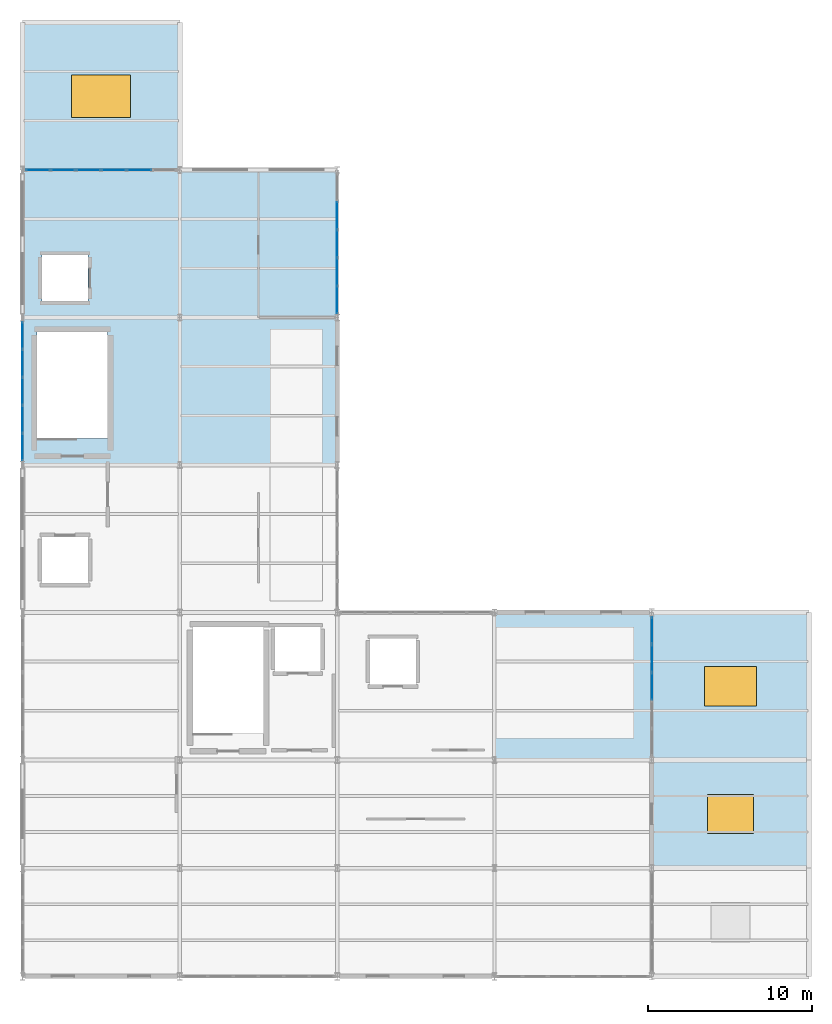
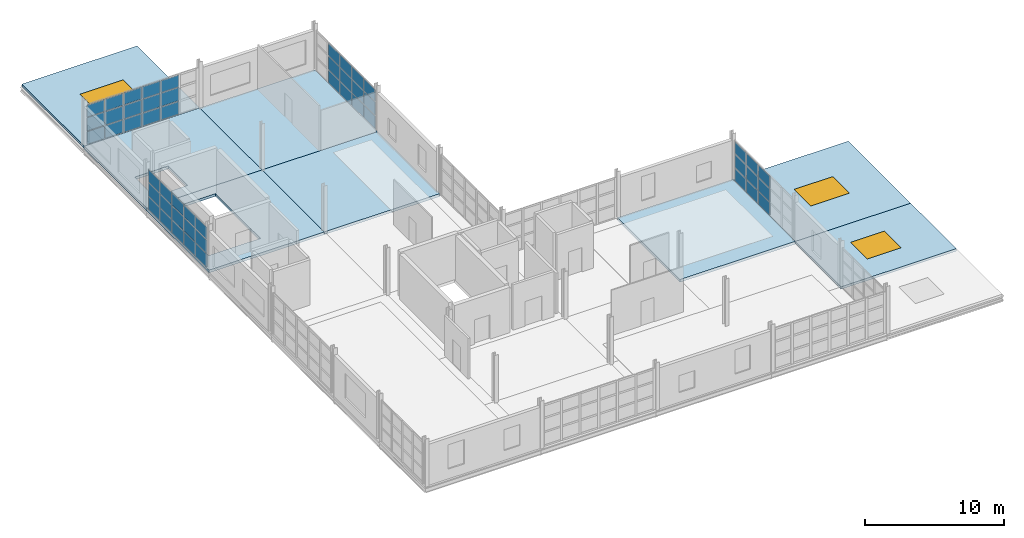
# One storey, part 12 of 15: 51 plates, 8 slabs, 3 windows, 3 openings, 4 elements without a shape of their own.
"""IFC4 building model written with IfcOpenShell, lengths in metres."""

from ifc_helpers import new_model, si_unit, direction, frame, origin, origin_2d, place, context, subcontext, project, spatial, polyline, rectangle, outline, extrude, material, layer, layer_set, type_object, element, fill, aggregate, save


model = new_model("IFC4")

# Units and contexts
model_context = context("Model", 3, precision=1e-05, world=origin(), true_north=direction((0.0, 1.0)))
body_context = subcontext(model_context, "Body", "Model", "MODEL_VIEW")
ifc_project = project(units=[si_unit("LENGTHUNIT", "METRE"), si_unit("AREAUNIT", "SQUARE_METRE"), si_unit("VOLUMEUNIT", "CUBIC_METRE"), si_unit("PLANEANGLEUNIT", "RADIAN"), si_unit("MASSUNIT", "GRAM", prefix="KILO")], contexts=[model_context])

# Site, building, storey
site_placement = place(None, origin())
site = spatial("IfcSite", under=ifc_project, at=site_placement, CompositionType="ELEMENT")
building_placement = place(site_placement, origin())
building = spatial("IfcBuilding", under=site, at=building_placement, Name="Zarnetskaya Central Station", CompositionType="ELEMENT")
storey_placement = place(building_placement, frame((0.0, 0.0, 22.800048828125)))
storey = spatial("IfcBuildingStorey", under=building, at=storey_placement, Name="L05", CompositionType="ELEMENT", Elevation=22.800048828125)

# Curtain wall, plates
ifc_material_1 = material(Name="Low-E insulated glass", Category="glass")
ifc_layer_1 = layer(ifc_material_1, 0.159912109375, Name="Low-E insulated glass", Category="glass")
ifc_layer_set_1 = layer_set([ifc_layer_1], Name="Low-E insulated glass")
curtain_wall_type_1 = type_object("IfcCurtainWallType", Name="CW-SYS-11", PredefinedType="USERDEFINED", material=ifc_layer_set_1)
curtain_wall_1_placement = place(storey_placement, origin())
curtain_wall_1 = element("IfcCurtainWall", 1, at=curtain_wall_1_placement, inside=storey, type_object=curtain_wall_type_1, Name="Curtain wall CW-L05-065", ObjectType="CURTAIN WALL", PredefinedType="USERDEFINED")
ifc_layer_2 = layer(ifc_material_1, 0.028076171875, Name="Low-E insulated glass", Category="glass")
ifc_layer_set_2 = layer_set([ifc_layer_2], Name="Low-E insulated glass")
plate_type_1 = type_object("IfcPlateType", Name="CW-PAN-28", PredefinedType="CURTAIN_PANEL", material=ifc_layer_set_2)
plate_1_placement = place(storey_placement, frame((0.0, 32.297607421875, 0.06982421875), z_axis=(0.0, 0.0, 1.0), x_axis=(0.0, 1.0, 0.0)))
plate_1 = element("IfcPlate", 2, at=plate_1_placement, type_object=plate_type_1, Name="CW-09 panel 1.1", PredefinedType="CURTAIN_PANEL", context=body_context, shape_type="SweptSolid", body=[
    extrude(rectangle(XDim=1.60498046875, YDim=0.028076171875, at=origin_2d()), origin(), (0.0, 0.0, 1.0), 1.133056640625),
])
plate_2_placement = place(storey_placement, frame((0.0, 32.297607421875, 1.27294921875), z_axis=(0.0, 0.0, 1.0), x_axis=(0.0, 1.0, 0.0)))
plate_2 = element("IfcPlate", 3, at=plate_2_placement, type_object=plate_type_1, Name="CW-09 panel 1.2", PredefinedType="CURTAIN_PANEL", context=body_context, shape_type="SweptSolid", body=[
    extrude(rectangle(XDim=1.60498046875, YDim=0.028076171875, at=origin_2d()), origin(), (0.0, 0.0, 1.0), 1.1669921875),
])
plate_3_placement = place(storey_placement, frame((0.0, 32.297607421875, 2.510009765625), z_axis=(0.0, 0.0, 1.0), x_axis=(0.0, 1.0, 0.0)))
plate_3 = element("IfcPlate", 4, at=plate_3_placement, type_object=plate_type_1, Name="CW-09 panel 1.3", PredefinedType="CURTAIN_PANEL", context=body_context, shape_type="SweptSolid", body=[
    extrude(rectangle(XDim=1.60498046875, YDim=0.028076171875, at=origin_2d()), origin(), (0.0, 0.0, 1.0), 1.06005859375),
])
plate_4_placement = place(storey_placement, frame((0.0, 33.989990234375, 0.06982421875), z_axis=(0.0, 0.0, 1.0), x_axis=(0.0, 1.0, 0.0)))
plate_4 = element("IfcPlate", 5, at=plate_4_placement, type_object=plate_type_1, Name="CW-09 panel 2.1", PredefinedType="CURTAIN_PANEL", context=body_context, shape_type="SweptSolid", body=[
    extrude(rectangle(XDim=1.639892578125, YDim=0.028076171875, at=origin_2d()), origin(), (0.0, 0.0, 1.0), 1.133056640625),
])
plate_5_placement = place(storey_placement, frame((0.0, 33.989990234375, 1.27294921875), z_axis=(0.0, 0.0, 1.0), x_axis=(0.0, 1.0, 0.0)))
plate_5 = element("IfcPlate", 6, at=plate_5_placement, type_object=plate_type_1, Name="CW-09 panel 2.2", PredefinedType="CURTAIN_PANEL", context=body_context, shape_type="SweptSolid", body=[
    extrude(rectangle(XDim=1.639892578125, YDim=0.028076171875, at=origin_2d()), origin(), (0.0, 0.0, 1.0), 1.1669921875),
])
plate_6_placement = place(storey_placement, frame((0.0, 33.989990234375, 2.510009765625), z_axis=(0.0, 0.0, 1.0), x_axis=(0.0, 1.0, 0.0)))
plate_6 = element("IfcPlate", 7, at=plate_6_placement, type_object=plate_type_1, Name="CW-09 panel 2.3", PredefinedType="CURTAIN_PANEL", context=body_context, shape_type="SweptSolid", body=[
    extrude(rectangle(XDim=1.639892578125, YDim=0.028076171875, at=origin_2d()), origin(), (0.0, 0.0, 1.0), 1.06005859375),
])
plate_7_placement = place(storey_placement, frame((0.0, 35.699951171875, 0.06982421875), z_axis=(0.0, 0.0, 1.0), x_axis=(0.0, 1.0, 0.0)))
plate_7 = element("IfcPlate", 8, at=plate_7_placement, type_object=plate_type_1, Name="CW-09 panel 3.1", PredefinedType="CURTAIN_PANEL", context=body_context, shape_type="SweptSolid", body=[
    extrude(rectangle(XDim=1.639892578125, YDim=0.028076171875, at=origin_2d()), origin(), (0.0, 0.0, 1.0), 1.133056640625),
])
plate_8_placement = place(storey_placement, frame((0.0, 35.699951171875, 1.27294921875), z_axis=(0.0, 0.0, 1.0), x_axis=(0.0, 1.0, 0.0)))
plate_8 = element("IfcPlate", 9, at=plate_8_placement, type_object=plate_type_1, Name="CW-09 panel 3.2", PredefinedType="CURTAIN_PANEL", context=body_context, shape_type="SweptSolid", body=[
    extrude(rectangle(XDim=1.639892578125, YDim=0.028076171875, at=origin_2d()), origin(), (0.0, 0.0, 1.0), 1.1669921875),
])
plate_9_placement = place(storey_placement, frame((0.0, 35.699951171875, 2.510009765625), z_axis=(0.0, 0.0, 1.0), x_axis=(0.0, 1.0, 0.0)))
plate_9 = element("IfcPlate", 10, at=plate_9_placement, type_object=plate_type_1, Name="CW-09 panel 3.3", PredefinedType="CURTAIN_PANEL", context=body_context, shape_type="SweptSolid", body=[
    extrude(rectangle(XDim=1.639892578125, YDim=0.028076171875, at=origin_2d()), origin(), (0.0, 0.0, 1.0), 1.06005859375),
])
plate_10_placement = place(storey_placement, frame((0.0, 37.409912109375, 0.06982421875), z_axis=(0.0, 0.0, 1.0), x_axis=(0.0, 1.0, 0.0)))
plate_10 = element("IfcPlate", 11, at=plate_10_placement, type_object=plate_type_1, Name="CW-09 panel 4.1", PredefinedType="CURTAIN_PANEL", context=body_context, shape_type="SweptSolid", body=[
    extrude(rectangle(XDim=1.639892578125, YDim=0.028076171875, at=origin_2d()), origin(), (0.0, 0.0, 1.0), 1.133056640625),
])
plate_11_placement = place(storey_placement, frame((0.0, 37.409912109375, 1.27294921875), z_axis=(0.0, 0.0, 1.0), x_axis=(0.0, 1.0, 0.0)))
plate_11 = element("IfcPlate", 12, at=plate_11_placement, type_object=plate_type_1, Name="CW-09 panel 4.2", PredefinedType="CURTAIN_PANEL", context=body_context, shape_type="SweptSolid", body=[
    extrude(rectangle(XDim=1.639892578125, YDim=0.028076171875, at=origin_2d()), origin(), (0.0, 0.0, 1.0), 1.1669921875),
])
plate_12_placement = place(storey_placement, frame((0.0, 37.409912109375, 2.510009765625), z_axis=(0.0, 0.0, 1.0), x_axis=(0.0, 1.0, 0.0)))
plate_12 = element("IfcPlate", 13, at=plate_12_placement, type_object=plate_type_1, Name="CW-09 panel 4.3", PredefinedType="CURTAIN_PANEL", context=body_context, shape_type="SweptSolid", body=[
    extrude(rectangle(XDim=1.639892578125, YDim=0.028076171875, at=origin_2d()), origin(), (0.0, 0.0, 1.0), 1.06005859375),
])
plate_13_placement = place(storey_placement, frame((0.0, 39.1025390625, 0.06982421875), z_axis=(0.0, 0.0, 1.0), x_axis=(0.0, 1.0, 0.0)))
plate_13 = element("IfcPlate", 14, at=plate_13_placement, type_object=plate_type_1, Name="CW-09 panel 5.1", PredefinedType="CURTAIN_PANEL", context=body_context, shape_type="SweptSolid", body=[
    extrude(rectangle(XDim=1.60498046875, YDim=0.028076171875, at=origin_2d()), origin(), (0.0, 0.0, 1.0), 1.133056640625),
])
plate_14_placement = place(storey_placement, frame((0.0, 39.1025390625, 1.27294921875), z_axis=(0.0, 0.0, 1.0), x_axis=(0.0, 1.0, 0.0)))
plate_14 = element("IfcPlate", 15, at=plate_14_placement, type_object=plate_type_1, Name="CW-09 panel 5.2", PredefinedType="CURTAIN_PANEL", context=body_context, shape_type="SweptSolid", body=[
    extrude(rectangle(XDim=1.60498046875, YDim=0.028076171875, at=origin_2d()), origin(), (0.0, 0.0, 1.0), 1.1669921875),
])
plate_15_placement = place(storey_placement, frame((0.0, 39.1025390625, 2.510009765625), z_axis=(0.0, 0.0, 1.0), x_axis=(0.0, 1.0, 0.0)))
plate_15 = element("IfcPlate", 16, at=plate_15_placement, type_object=plate_type_1, Name="CW-09 panel 5.3", PredefinedType="CURTAIN_PANEL", context=body_context, shape_type="SweptSolid", body=[
    extrude(rectangle(XDim=1.60498046875, YDim=0.028076171875, at=origin_2d()), origin(), (0.0, 0.0, 1.0), 1.06005859375),
])
aggregate(curtain_wall_1, [plate_1, plate_2, plate_3, plate_4, plate_5, plate_6, plate_7, plate_8, plate_9, plate_10, plate_11, plate_12, plate_13, plate_14, plate_15])

ifc_layer_3 = layer(ifc_material_1, 0.1640625, Name="Low-E insulated glass", Category="glass")
ifc_layer_set_3 = layer_set([ifc_layer_3], Name="Low-E insulated glass")
curtain_wall_type_2 = type_object("IfcCurtainWallType", Name="CW-SYS-07", PredefinedType="USERDEFINED", material=ifc_layer_set_3)
curtain_wall_2_placement = place(storey_placement, origin())
curtain_wall_2 = element("IfcCurtainWall", 17, at=curtain_wall_2_placement, inside=storey, type_object=curtain_wall_type_2, Name="Curtain wall CW-L05-070", ObjectType="CURTAIN WALL", PredefinedType="USERDEFINED")
plate_16_placement = place(storey_placement, frame((38.39990234375, 21.097412109375, 0.079833984375), z_axis=(0.0, 0.0, 1.0), x_axis=(0.0, -1.0, 0.0)))
plate_16 = element("IfcPlate", 18, at=plate_16_placement, type_object=plate_type_1, Name="CW-06 panel 1.1", PredefinedType="CURTAIN_PANEL", context=body_context, shape_type="SweptSolid", body=[
    extrude(rectangle(XDim=1.594970703125, YDim=0.028076171875, at=origin_2d()), origin(), (0.0, 0.0, 1.0), 1.10400390625),
])
plate_17_placement = place(storey_placement, frame((38.39990234375, 21.097412109375, 1.263916015625), z_axis=(0.0, 0.0, 1.0), x_axis=(0.0, -1.0, 0.0)))
plate_17 = element("IfcPlate", 19, at=plate_17_placement, type_object=plate_type_1, Name="CW-06 panel 1.2", PredefinedType="CURTAIN_PANEL", context=body_context, shape_type="SweptSolid", body=[
    extrude(rectangle(XDim=1.594970703125, YDim=0.028076171875, at=origin_2d()), origin(), (0.0, 0.0, 1.0), 1.14404296875),
])
plate_18_placement = place(storey_placement, frame((38.39990234375, 21.097412109375, 2.48779296875), z_axis=(0.0, 0.0, 1.0), x_axis=(0.0, -1.0, 0.0)))
plate_18 = element("IfcPlate", 20, at=plate_18_placement, type_object=plate_type_1, Name="CW-06 panel 1.3", PredefinedType="CURTAIN_PANEL", context=body_context, shape_type="SweptSolid", body=[
    extrude(rectangle(XDim=1.594970703125, YDim=0.028076171875, at=origin_2d()), origin(), (0.0, 0.0, 1.0), 1.031982421875),
])
plate_19_placement = place(storey_placement, frame((38.39990234375, 19.402587890625, 0.079833984375), z_axis=(0.0, 0.0, 1.0), x_axis=(0.0, -1.0, 0.0)))
plate_19 = element("IfcPlate", 21, at=plate_19_placement, type_object=plate_type_1, Name="CW-06 panel 2.1", PredefinedType="CURTAIN_PANEL", context=body_context, shape_type="SweptSolid", body=[
    extrude(rectangle(XDim=1.635009765625, YDim=0.028076171875, at=origin_2d()), origin(), (0.0, 0.0, 1.0), 1.10400390625),
])
plate_20_placement = place(storey_placement, frame((38.39990234375, 19.402587890625, 1.263916015625), z_axis=(0.0, 0.0, 1.0), x_axis=(0.0, -1.0, 0.0)))
plate_20 = element("IfcPlate", 22, at=plate_20_placement, type_object=plate_type_1, Name="CW-06 panel 2.2", PredefinedType="CURTAIN_PANEL", context=body_context, shape_type="SweptSolid", body=[
    extrude(rectangle(XDim=1.635009765625, YDim=0.028076171875, at=origin_2d()), origin(), (0.0, 0.0, 1.0), 1.14404296875),
])
plate_21_placement = place(storey_placement, frame((38.39990234375, 19.402587890625, 2.48779296875), z_axis=(0.0, 0.0, 1.0), x_axis=(0.0, -1.0, 0.0)))
plate_21 = element("IfcPlate", 23, at=plate_21_placement, type_object=plate_type_1, Name="CW-06 panel 2.3", PredefinedType="CURTAIN_PANEL", context=body_context, shape_type="SweptSolid", body=[
    extrude(rectangle(XDim=1.635009765625, YDim=0.028076171875, at=origin_2d()), origin(), (0.0, 0.0, 1.0), 1.031982421875),
])
plate_22_placement = place(storey_placement, frame((38.39990234375, 17.6875, 0.079833984375), z_axis=(0.0, 0.0, 1.0), x_axis=(0.0, -1.0, 0.0)))
plate_22 = element("IfcPlate", 24, at=plate_22_placement, type_object=plate_type_1, Name="CW-06 panel 3.1", PredefinedType="CURTAIN_PANEL", context=body_context, shape_type="SweptSolid", body=[
    extrude(rectangle(XDim=1.635009765625, YDim=0.028076171875, at=origin_2d()), origin(), (0.0, 0.0, 1.0), 1.10400390625),
])
plate_23_placement = place(storey_placement, frame((38.39990234375, 17.6875, 1.263916015625), z_axis=(0.0, 0.0, 1.0), x_axis=(0.0, -1.0, 0.0)))
plate_23 = element("IfcPlate", 25, at=plate_23_placement, type_object=plate_type_1, Name="CW-06 panel 3.2", PredefinedType="CURTAIN_PANEL", context=body_context, shape_type="SweptSolid", body=[
    extrude(rectangle(XDim=1.635009765625, YDim=0.028076171875, at=origin_2d()), origin(), (0.0, 0.0, 1.0), 1.14404296875),
])
plate_24_placement = place(storey_placement, frame((38.39990234375, 17.6875, 2.48779296875), z_axis=(0.0, 0.0, 1.0), x_axis=(0.0, -1.0, 0.0)))
plate_24 = element("IfcPlate", 26, at=plate_24_placement, type_object=plate_type_1, Name="CW-06 panel 3.3", PredefinedType="CURTAIN_PANEL", context=body_context, shape_type="SweptSolid", body=[
    extrude(rectangle(XDim=1.635009765625, YDim=0.028076171875, at=origin_2d()), origin(), (0.0, 0.0, 1.0), 1.031982421875),
])
aggregate(curtain_wall_2, [plate_16, plate_17, plate_18, plate_19, plate_20, plate_21, plate_22, plate_23, plate_24])

curtain_wall_3_placement = place(storey_placement, origin())
curtain_wall_3 = element("IfcCurtainWall", 27, at=curtain_wall_3_placement, inside=storey, type_object=curtain_wall_type_2, Name="Curtain wall CW-L05-066", ObjectType="CURTAIN WALL", PredefinedType="USERDEFINED")
ifc_layer_4 = layer(ifc_material_1, 0.031982421875, Name="Low-E insulated glass", Category="glass")
ifc_layer_set_4 = layer_set([ifc_layer_4], Name="Low-E insulated glass")
plate_type_2 = type_object("IfcPlateType", Name="CW-PAN-32", PredefinedType="CURTAIN_PANEL", material=ifc_layer_set_4)
plate_25_placement = place(storey_placement, frame((0.945068359375, 49.199951171875, 0.079833984375), z_axis=(0.0, 0.0, 1.0), x_axis=(1.0, 0.0, 0.0)))
plate_25 = element("IfcPlate", 28, at=plate_25_placement, type_object=plate_type_2, Name="CW-06 panel 1.1", PredefinedType="CURTAIN_PANEL", context=body_context, shape_type="SweptSolid", body=[
    extrude(rectangle(XDim=1.429931640625, YDim=0.031982421875, at=origin_2d()), origin(), (0.0, 0.0, 1.0), 1.10400390625),
])
plate_26_placement = place(storey_placement, frame((0.945068359375, 49.199951171875, 1.263916015625), z_axis=(0.0, 0.0, 1.0), x_axis=(1.0, 0.0, 0.0)))
plate_26 = element("IfcPlate", 29, at=plate_26_placement, type_object=plate_type_2, Name="CW-06 panel 1.2", PredefinedType="CURTAIN_PANEL", context=body_context, shape_type="SweptSolid", body=[
    extrude(rectangle(XDim=1.429931640625, YDim=0.031982421875, at=origin_2d()), origin(), (0.0, 0.0, 1.0), 1.14404296875),
])
plate_27_placement = place(storey_placement, frame((0.945068359375, 49.199951171875, 2.48779296875), z_axis=(0.0, 0.0, 1.0), x_axis=(1.0, 0.0, 0.0)))
plate_27 = element("IfcPlate", 30, at=plate_27_placement, type_object=plate_type_2, Name="CW-06 panel 1.3", PredefinedType="CURTAIN_PANEL", context=body_context, shape_type="SweptSolid", body=[
    extrude(rectangle(XDim=1.429931640625, YDim=0.031982421875, at=origin_2d()), origin(), (0.0, 0.0, 1.0), 1.031982421875),
])
plate_28_placement = place(storey_placement, frame((2.47509765625, 49.199951171875, 0.079833984375), z_axis=(0.0, 0.0, 1.0), x_axis=(1.0, 0.0, 0.0)))
plate_28 = element("IfcPlate", 31, at=plate_28_placement, type_object=plate_type_2, Name="CW-06 panel 2.1", PredefinedType="CURTAIN_PANEL", context=body_context, shape_type="SweptSolid", body=[
    extrude(rectangle(XDim=1.469970703125, YDim=0.031982421875, at=origin_2d()), origin(), (0.0, 0.0, 1.0), 1.10400390625),
])
plate_29_placement = place(storey_placement, frame((2.47509765625, 49.199951171875, 1.263916015625), z_axis=(0.0, 0.0, 1.0), x_axis=(1.0, 0.0, 0.0)))
plate_29 = element("IfcPlate", 32, at=plate_29_placement, type_object=plate_type_2, Name="CW-06 panel 2.2", PredefinedType="CURTAIN_PANEL", context=body_context, shape_type="SweptSolid", body=[
    extrude(rectangle(XDim=1.469970703125, YDim=0.031982421875, at=origin_2d()), origin(), (0.0, 0.0, 1.0), 1.14404296875),
])
plate_30_placement = place(storey_placement, frame((2.47509765625, 49.199951171875, 2.48779296875), z_axis=(0.0, 0.0, 1.0), x_axis=(1.0, 0.0, 0.0)))
plate_30 = element("IfcPlate", 33, at=plate_30_placement, type_object=plate_type_2, Name="CW-06 panel 2.3", PredefinedType="CURTAIN_PANEL", context=body_context, shape_type="SweptSolid", body=[
    extrude(rectangle(XDim=1.469970703125, YDim=0.031982421875, at=origin_2d()), origin(), (0.0, 0.0, 1.0), 1.031982421875),
])
plate_31_placement = place(storey_placement, frame((4.02490234375, 49.199951171875, 0.079833984375), z_axis=(0.0, 0.0, 1.0), x_axis=(1.0, 0.0, 0.0)))
plate_31 = element("IfcPlate", 34, at=plate_31_placement, type_object=plate_type_2, Name="CW-06 panel 3.1", PredefinedType="CURTAIN_PANEL", context=body_context, shape_type="SweptSolid", body=[
    extrude(rectangle(XDim=1.469970703125, YDim=0.031982421875, at=origin_2d()), origin(), (0.0, 0.0, 1.0), 1.10400390625),
])
plate_32_placement = place(storey_placement, frame((4.02490234375, 49.199951171875, 1.263916015625), z_axis=(0.0, 0.0, 1.0), x_axis=(1.0, 0.0, 0.0)))
plate_32 = element("IfcPlate", 35, at=plate_32_placement, type_object=plate_type_2, Name="CW-06 panel 3.2", PredefinedType="CURTAIN_PANEL", context=body_context, shape_type="SweptSolid", body=[
    extrude(rectangle(XDim=1.469970703125, YDim=0.031982421875, at=origin_2d()), origin(), (0.0, 0.0, 1.0), 1.14404296875),
])
plate_33_placement = place(storey_placement, frame((4.02490234375, 49.199951171875, 2.48779296875), z_axis=(0.0, 0.0, 1.0), x_axis=(1.0, 0.0, 0.0)))
plate_33 = element("IfcPlate", 36, at=plate_33_placement, type_object=plate_type_2, Name="CW-06 panel 3.3", PredefinedType="CURTAIN_PANEL", context=body_context, shape_type="SweptSolid", body=[
    extrude(rectangle(XDim=1.469970703125, YDim=0.031982421875, at=origin_2d()), origin(), (0.0, 0.0, 1.0), 1.031982421875),
])
plate_34_placement = place(storey_placement, frame((5.574951171875, 49.199951171875, 0.079833984375), z_axis=(0.0, 0.0, 1.0), x_axis=(1.0, 0.0, 0.0)))
plate_34 = element("IfcPlate", 37, at=plate_34_placement, type_object=plate_type_2, Name="CW-06 panel 4.1", PredefinedType="CURTAIN_PANEL", context=body_context, shape_type="SweptSolid", body=[
    extrude(rectangle(XDim=1.469970703125, YDim=0.031982421875, at=origin_2d()), origin(), (0.0, 0.0, 1.0), 1.10400390625),
])
plate_35_placement = place(storey_placement, frame((5.574951171875, 49.199951171875, 1.263916015625), z_axis=(0.0, 0.0, 1.0), x_axis=(1.0, 0.0, 0.0)))
plate_35 = element("IfcPlate", 38, at=plate_35_placement, type_object=plate_type_2, Name="CW-06 panel 4.2", PredefinedType="CURTAIN_PANEL", context=body_context, shape_type="SweptSolid", body=[
    extrude(rectangle(XDim=1.469970703125, YDim=0.031982421875, at=origin_2d()), origin(), (0.0, 0.0, 1.0), 1.14404296875),
])
plate_36_placement = place(storey_placement, frame((5.574951171875, 49.199951171875, 2.48779296875), z_axis=(0.0, 0.0, 1.0), x_axis=(1.0, 0.0, 0.0)))
plate_36 = element("IfcPlate", 39, at=plate_36_placement, type_object=plate_type_2, Name="CW-06 panel 4.3", PredefinedType="CURTAIN_PANEL", context=body_context, shape_type="SweptSolid", body=[
    extrude(rectangle(XDim=1.469970703125, YDim=0.031982421875, at=origin_2d()), origin(), (0.0, 0.0, 1.0), 1.031982421875),
])
plate_37_placement = place(storey_placement, frame((7.125, 49.199951171875, 0.079833984375), z_axis=(0.0, 0.0, 1.0), x_axis=(1.0, 0.0, 0.0)))
plate_37 = element("IfcPlate", 40, at=plate_37_placement, type_object=plate_type_2, Name="CW-06 panel 5.1", PredefinedType="CURTAIN_PANEL", context=body_context, shape_type="SweptSolid", body=[
    extrude(rectangle(XDim=1.469970703125, YDim=0.031982421875, at=origin_2d()), origin(), (0.0, 0.0, 1.0), 1.10400390625),
])
plate_38_placement = place(storey_placement, frame((7.125, 49.199951171875, 1.263916015625), z_axis=(0.0, 0.0, 1.0), x_axis=(1.0, 0.0, 0.0)))
plate_38 = element("IfcPlate", 41, at=plate_38_placement, type_object=plate_type_2, Name="CW-06 panel 5.2", PredefinedType="CURTAIN_PANEL", context=body_context, shape_type="SweptSolid", body=[
    extrude(rectangle(XDim=1.469970703125, YDim=0.031982421875, at=origin_2d()), origin(), (0.0, 0.0, 1.0), 1.14404296875),
])
plate_39_placement = place(storey_placement, frame((7.125, 49.199951171875, 2.48779296875), z_axis=(0.0, 0.0, 1.0), x_axis=(1.0, 0.0, 0.0)))
plate_39 = element("IfcPlate", 42, at=plate_39_placement, type_object=plate_type_2, Name="CW-06 panel 5.3", PredefinedType="CURTAIN_PANEL", context=body_context, shape_type="SweptSolid", body=[
    extrude(rectangle(XDim=1.469970703125, YDim=0.031982421875, at=origin_2d()), origin(), (0.0, 0.0, 1.0), 1.031982421875),
])
aggregate(curtain_wall_3, [plate_25, plate_26, plate_27, plate_28, plate_29, plate_30, plate_31, plate_32, plate_33, plate_34, plate_35, plate_36, plate_37, plate_38, plate_39])

curtain_wall_4_placement = place(storey_placement, origin())
curtain_wall_4 = element("IfcCurtainWall", 43, at=curtain_wall_4_placement, inside=storey, type_object=curtain_wall_type_2, Name="Curtain wall CW-L05-067", ObjectType="CURTAIN WALL", PredefinedType="USERDEFINED")
ifc_layer_5 = layer(ifc_material_1, 0.035888671875, Name="Low-E insulated glass", Category="glass")
ifc_layer_set_5 = layer_set([ifc_layer_5], Name="Low-E insulated glass")
plate_type_3 = type_object("IfcPlateType", Name="CW-PAN-36", PredefinedType="CURTAIN_PANEL", material=ifc_layer_set_5)
plate_40_placement = place(storey_placement, frame((19.199951171875, 46.419921875, 0.06982421875), z_axis=(0.0, 0.0, 1.0), x_axis=(0.0, -1.0, 0.0)))
plate_40 = element("IfcPlate", 44, at=plate_40_placement, type_object=plate_type_3, Name="CW-06 panel 2.1", PredefinedType="CURTAIN_PANEL", context=body_context, shape_type="SweptSolid", body=[
    extrude(rectangle(XDim=1.64990234375, YDim=0.035888671875, at=origin_2d()), origin(), (0.0, 0.0, 1.0), 1.118896484375),
])
plate_41_placement = place(storey_placement, frame((19.199951171875, 46.419921875, 1.2587890625), z_axis=(0.0, 0.0, 1.0), x_axis=(0.0, -1.0, 0.0)))
plate_41 = element("IfcPlate", 45, at=plate_41_placement, type_object=plate_type_3, Name="CW-06 panel 2.2", PredefinedType="CURTAIN_PANEL", context=body_context, shape_type="SweptSolid", body=[
    extrude(rectangle(XDim=1.64990234375, YDim=0.035888671875, at=origin_2d()), origin(), (0.0, 0.0, 1.0), 1.154052734375),
])
plate_42_placement = place(storey_placement, frame((19.199951171875, 46.419921875, 2.48291015625), z_axis=(0.0, 0.0, 1.0), x_axis=(0.0, -1.0, 0.0)))
plate_42 = element("IfcPlate", 46, at=plate_42_placement, type_object=plate_type_3, Name="CW-06 panel 2.3", PredefinedType="CURTAIN_PANEL", context=body_context, shape_type="SweptSolid", body=[
    extrude(rectangle(XDim=1.64990234375, YDim=0.035888671875, at=origin_2d()), origin(), (0.0, 0.0, 1.0), 1.047119140625),
])
plate_43_placement = place(storey_placement, frame((19.199951171875, 44.699951171875, 0.06982421875), z_axis=(0.0, 0.0, 1.0), x_axis=(0.0, -1.0, 0.0)))
plate_43 = element("IfcPlate", 47, at=plate_43_placement, type_object=plate_type_3, Name="CW-06 panel 3.1", PredefinedType="CURTAIN_PANEL", context=body_context, shape_type="SweptSolid", body=[
    extrude(rectangle(XDim=1.64990234375, YDim=0.035888671875, at=origin_2d()), origin(), (0.0, 0.0, 1.0), 1.118896484375),
])
plate_44_placement = place(storey_placement, frame((19.199951171875, 44.699951171875, 1.2587890625), z_axis=(0.0, 0.0, 1.0), x_axis=(0.0, -1.0, 0.0)))
plate_44 = element("IfcPlate", 48, at=plate_44_placement, type_object=plate_type_3, Name="CW-06 panel 3.2", PredefinedType="CURTAIN_PANEL", context=body_context, shape_type="SweptSolid", body=[
    extrude(rectangle(XDim=1.64990234375, YDim=0.035888671875, at=origin_2d()), origin(), (0.0, 0.0, 1.0), 1.154052734375),
])
plate_45_placement = place(storey_placement, frame((19.199951171875, 44.699951171875, 2.48291015625), z_axis=(0.0, 0.0, 1.0), x_axis=(0.0, -1.0, 0.0)))
plate_45 = element("IfcPlate", 49, at=plate_45_placement, type_object=plate_type_3, Name="CW-06 panel 3.3", PredefinedType="CURTAIN_PANEL", context=body_context, shape_type="SweptSolid", body=[
    extrude(rectangle(XDim=1.64990234375, YDim=0.035888671875, at=origin_2d()), origin(), (0.0, 0.0, 1.0), 1.047119140625),
])
plate_46_placement = place(storey_placement, frame((19.199951171875, 42.97998046875, 0.06982421875), z_axis=(0.0, 0.0, 1.0), x_axis=(0.0, -1.0, 0.0)))
plate_46 = element("IfcPlate", 50, at=plate_46_placement, type_object=plate_type_3, Name="CW-06 panel 4.1", PredefinedType="CURTAIN_PANEL", context=body_context, shape_type="SweptSolid", body=[
    extrude(rectangle(XDim=1.64990234375, YDim=0.035888671875, at=origin_2d()), origin(), (0.0, 0.0, 1.0), 1.118896484375),
])
plate_47_placement = place(storey_placement, frame((19.199951171875, 42.97998046875, 1.2587890625), z_axis=(0.0, 0.0, 1.0), x_axis=(0.0, -1.0, 0.0)))
plate_47 = element("IfcPlate", 51, at=plate_47_placement, type_object=plate_type_3, Name="CW-06 panel 4.2", PredefinedType="CURTAIN_PANEL", context=body_context, shape_type="SweptSolid", body=[
    extrude(rectangle(XDim=1.64990234375, YDim=0.035888671875, at=origin_2d()), origin(), (0.0, 0.0, 1.0), 1.154052734375),
])
plate_48_placement = place(storey_placement, frame((19.199951171875, 42.97998046875, 2.48291015625), z_axis=(0.0, 0.0, 1.0), x_axis=(0.0, -1.0, 0.0)))
plate_48 = element("IfcPlate", 52, at=plate_48_placement, type_object=plate_type_3, Name="CW-06 panel 4.3", PredefinedType="CURTAIN_PANEL", context=body_context, shape_type="SweptSolid", body=[
    extrude(rectangle(XDim=1.64990234375, YDim=0.035888671875, at=origin_2d()), origin(), (0.0, 0.0, 1.0), 1.047119140625),
])
plate_49_placement = place(storey_placement, frame((19.199951171875, 41.277587890625, 0.06982421875), z_axis=(0.0, 0.0, 1.0), x_axis=(0.0, -1.0, 0.0)))
plate_49 = element("IfcPlate", 53, at=plate_49_placement, type_object=plate_type_3, Name="CW-06 panel 5.1", PredefinedType="CURTAIN_PANEL", context=body_context, shape_type="SweptSolid", body=[
    extrude(rectangle(XDim=1.614990234375, YDim=0.035888671875, at=origin_2d()), origin(), (0.0, 0.0, 1.0), 1.118896484375),
])
plate_50_placement = place(storey_placement, frame((19.199951171875, 41.277587890625, 1.2587890625), z_axis=(0.0, 0.0, 1.0), x_axis=(0.0, -1.0, 0.0)))
plate_50 = element("IfcPlate", 54, at=plate_50_placement, type_object=plate_type_3, Name="CW-06 panel 5.2", PredefinedType="CURTAIN_PANEL", context=body_context, shape_type="SweptSolid", body=[
    extrude(rectangle(XDim=1.614990234375, YDim=0.035888671875, at=origin_2d()), origin(), (0.0, 0.0, 1.0), 1.154052734375),
])
plate_51_placement = place(storey_placement, frame((19.199951171875, 41.277587890625, 2.48291015625), z_axis=(0.0, 0.0, 1.0), x_axis=(0.0, -1.0, 0.0)))
plate_51 = element("IfcPlate", 55, at=plate_51_placement, type_object=plate_type_3, Name="CW-06 panel 5.3", PredefinedType="CURTAIN_PANEL", context=body_context, shape_type="SweptSolid", body=[
    extrude(rectangle(XDim=1.614990234375, YDim=0.035888671875, at=origin_2d()), origin(), (0.0, 0.0, 1.0), 1.047119140625),
])
aggregate(curtain_wall_4, [plate_40, plate_41, plate_42, plate_43, plate_44, plate_45, plate_46, plate_47, plate_48, plate_49, plate_50, plate_51])

# Slab, opening, window
ifc_material_2 = material(Name="Concrete C30/37", Category="concrete")
ifc_layer_6 = layer(ifc_material_2, 0.2099609375, Name="Concrete C30/37", Category="concrete")
ifc_layer_set_6 = layer_set([ifc_layer_6], Name="Concrete C30/37")
slab_type_1 = type_object("IfcSlabType", Name="ROOF-FLAT-210", PredefinedType="ROOF", material=ifc_layer_set_6)
slab_1_placement = place(storey_placement, frame((0.0, 0.0, -0.2099609375)))
slab_1 = element("IfcSlab", 56, at=slab_1_placement, inside=storey, type_object=slab_type_1, Name="L05 slab E-F/2-3", PredefinedType="ROOF", context=body_context, shape_type="SweptSolid", body=[
    extrude(outline(polyline([(38.39990234375, 6.60009765625), (48.0, 6.60009765625), (48.0, 13.199951171875), (38.39990234375, 13.199951171875), (38.39990234375, 6.60009765625)])), origin(), (0.0, 0.0, 1.0), 0.2099609375),
])
opening_1_placement = place(slab_1_placement, frame((43.199951171875, 9.89990234375, 0.0)))
opening_1 = element("IfcOpeningElement", 57, at=opening_1_placement, cuts=slab_1, Name="Opening SK-03", PredefinedType="OPENING", context=body_context, shape_type="SweptSolid", body=[
    extrude(rectangle(XDim=2.800048828125, YDim=2.39990234375, at=origin_2d()), frame((0.0, 0.0, -0.010009765625)), (0.0, 0.0, 1.0), 0.22998046875),
])
window_type_1 = type_object("IfcWindowType", Name="SKY-02", PartitioningType="SINGLE_PANEL", PredefinedType="SKYLIGHT", material=ifc_material_1)
window_1_placement = place(opening_1_placement, frame((0.0, 0.0, 0.159912109375)))
window_1 = element("IfcWindow", 58, at=window_1_placement, inside=storey, type_object=window_type_1, Name="Insulated roof skylight 02", OverallHeight=2.39990234375, OverallWidth=2.800048828125, PartitioningType="SINGLE_PANEL", PredefinedType="SKYLIGHT", context=body_context, shape_type="SweptSolid", body=[
    extrude(rectangle(XDim=2.800048828125, YDim=2.39990234375, at=origin_2d()), origin(), (0.0, 0.0, 1.0), 0.050048828125),
])
fill(opening_1, window_1)

slab_2_placement = place(storey_placement, frame((0.0, 0.0, -0.2099609375)))
slab_2 = element("IfcSlab", 59, at=slab_2_placement, inside=storey, type_object=slab_type_1, Name="L05 slab E-F/3-4", PredefinedType="ROOF", context=body_context, shape_type="SweptSolid", body=[
    extrude(outline(polyline([(38.39990234375, 13.199951171875), (48.0, 13.199951171875), (48.0, 22.199951171875), (38.39990234375, 22.199951171875), (38.39990234375, 13.199951171875)])), origin(), (0.0, 0.0, 1.0), 0.2099609375),
])
opening_2_placement = place(slab_2_placement, frame((43.199951171875, 17.699951171875, 0.0)))
opening_2 = element("IfcOpeningElement", 60, at=opening_2_placement, cuts=slab_2, Name="Opening SK-02", PredefinedType="OPENING", context=body_context, shape_type="SweptSolid", body=[
    extrude(rectangle(XDim=3.199951171875, YDim=2.39990234375, at=origin_2d()), frame((0.0, 0.0, -0.010009765625)), (0.0, 0.0, 1.0), 0.22998046875),
])
window_type_2 = type_object("IfcWindowType", Name="SKY-03", PartitioningType="SINGLE_PANEL", PredefinedType="SKYLIGHT", material=ifc_material_1)
window_2_placement = place(opening_2_placement, frame((0.0, 0.0, 0.159912109375)))
window_2 = element("IfcWindow", 61, at=window_2_placement, inside=storey, type_object=window_type_2, Name="Insulated roof skylight 03", OverallHeight=2.39990234375, OverallWidth=3.199951171875, PartitioningType="SINGLE_PANEL", PredefinedType="SKYLIGHT", context=body_context, shape_type="SweptSolid", body=[
    extrude(rectangle(XDim=3.199951171875, YDim=2.39990234375, at=origin_2d()), origin(), (0.0, 0.0, 1.0), 0.050048828125),
])
fill(opening_2, window_2)

slab_3_placement = place(storey_placement, frame((0.0, 0.0, -0.2099609375)))
slab_3 = element("IfcSlab", 62, at=slab_3_placement, inside=storey, type_object=slab_type_1, Name="L05 slab A-B/7-8", PredefinedType="ROOF", context=body_context, shape_type="SweptSolid", body=[
    extrude(outline(polyline([(0.0, 49.199951171875), (9.60009765625, 49.199951171875), (9.60009765625, 58.199951171875), (0.0, 58.199951171875), (0.0, 49.199951171875)])), origin(), (0.0, 0.0, 1.0), 0.2099609375),
])
opening_3_placement = place(slab_3_placement, frame((4.800048828125, 53.699951171875, 0.0)))
opening_3 = element("IfcOpeningElement", 63, at=opening_3_placement, cuts=slab_3, Name="Opening SK-05", PredefinedType="OPENING", context=body_context, shape_type="SweptSolid", body=[
    extrude(rectangle(XDim=3.60009765625, YDim=2.60009765625, at=origin_2d()), frame((0.0, 0.0, -0.010009765625)), (0.0, 0.0, 1.0), 0.22998046875),
])
window_type_3 = type_object("IfcWindowType", Name="SKY-04", PartitioningType="SINGLE_PANEL", PredefinedType="SKYLIGHT", material=ifc_material_1)
window_3_placement = place(opening_3_placement, frame((0.0, 0.0, 0.159912109375)))
window_3 = element("IfcWindow", 64, at=window_3_placement, inside=storey, type_object=window_type_3, Name="Insulated roof skylight 04", OverallHeight=2.60009765625, OverallWidth=3.60009765625, PartitioningType="SINGLE_PANEL", PredefinedType="SKYLIGHT", context=body_context, shape_type="SweptSolid", body=[
    extrude(rectangle(XDim=3.60009765625, YDim=2.60009765625, at=origin_2d()), origin(), (0.0, 0.0, 1.0), 0.050048828125),
])
fill(opening_3, window_3)

# Slabs
ifc_layer_7 = layer(ifc_material_2, 0.239990234375, Name="Concrete C30/37", Category="concrete")
ifc_layer_set_7 = layer_set([ifc_layer_7], Name="Concrete C30/37")
slab_type_2 = type_object("IfcSlabType", Name="SLAB-UPP-240", PredefinedType="FLOOR", material=ifc_layer_set_7)
slab_4_placement = place(storey_placement, frame((0.0, 0.0, -0.239990234375)))
element("IfcSlab", 65, at=slab_4_placement, inside=storey, type_object=slab_type_2, Name="L05 slab A-B/5-6", PredefinedType="FLOOR", context=body_context, shape_type="SweptSolid", body=[
    extrude(outline(polyline([(0.0, 31.199951171875), (9.60009765625, 31.199951171875), (9.60009765625, 40.199951171875), (0.0, 40.199951171875), (0.0, 31.199951171875)]), holes=[polyline([(0.89990234375, 32.804931640625), (5.199951171875, 32.804931640625), (5.199951171875, 39.300048828125), (0.89990234375, 39.300048828125), (0.89990234375, 32.804931640625)])]), origin(), (0.0, 0.0, 1.0), 0.239990234375),
])
slab_5_placement = place(storey_placement, frame((0.0, 0.0, -0.239990234375)))
element("IfcSlab", 66, at=slab_5_placement, inside=storey, type_object=slab_type_2, Name="L05 slab A-B/6-7", PredefinedType="FLOOR", context=body_context, shape_type="SweptSolid", body=[
    extrude(outline(polyline([(0.0, 40.199951171875), (9.60009765625, 40.199951171875), (9.60009765625, 49.199951171875), (0.0, 49.199951171875), (0.0, 40.199951171875)]), holes=[polyline([(1.199951171875, 41.199951171875), (4.0, 41.199951171875), (4.0, 44.0), (1.199951171875, 44.0), (1.199951171875, 41.199951171875)])]), origin(), (0.0, 0.0, 1.0), 0.239990234375),
])
slab_6_placement = place(storey_placement, frame((0.0, 0.0, -0.239990234375)))
element("IfcSlab", 67, at=slab_6_placement, inside=storey, type_object=slab_type_2, Name="L05 slab B-C/5-6", PredefinedType="FLOOR", context=body_context, shape_type="SweptSolid", body=[
    extrude(outline(polyline([(9.60009765625, 31.199951171875), (19.199951171875, 31.199951171875), (19.199951171875, 40.199951171875), (9.60009765625, 40.199951171875), (9.60009765625, 31.199951171875)])), origin(), (0.0, 0.0, 1.0), 0.239990234375),
])
slab_7_placement = place(storey_placement, frame((0.0, 0.0, -0.239990234375)))
element("IfcSlab", 68, at=slab_7_placement, inside=storey, type_object=slab_type_2, Name="L05 slab B-C/6-7", PredefinedType="FLOOR", context=body_context, shape_type="SweptSolid", body=[
    extrude(outline(polyline([(9.60009765625, 40.199951171875), (19.199951171875, 40.199951171875), (19.199951171875, 49.199951171875), (9.60009765625, 49.199951171875), (9.60009765625, 40.199951171875)])), origin(), (0.0, 0.0, 1.0), 0.239990234375),
])
slab_8_placement = place(storey_placement, frame((0.0, 0.0, -0.239990234375)))
element("IfcSlab", 69, at=slab_8_placement, inside=storey, type_object=slab_type_2, Name="L05 slab D-E/3-4", PredefinedType="FLOOR", context=body_context, shape_type="SweptSolid", body=[
    extrude(outline(polyline([(28.800048828125, 13.199951171875), (38.39990234375, 13.199951171875), (38.39990234375, 22.199951171875), (28.800048828125, 22.199951171875), (28.800048828125, 13.199951171875)])), origin(), (0.0, 0.0, 1.0), 0.239990234375),
])

save(model, "model.ifc")
